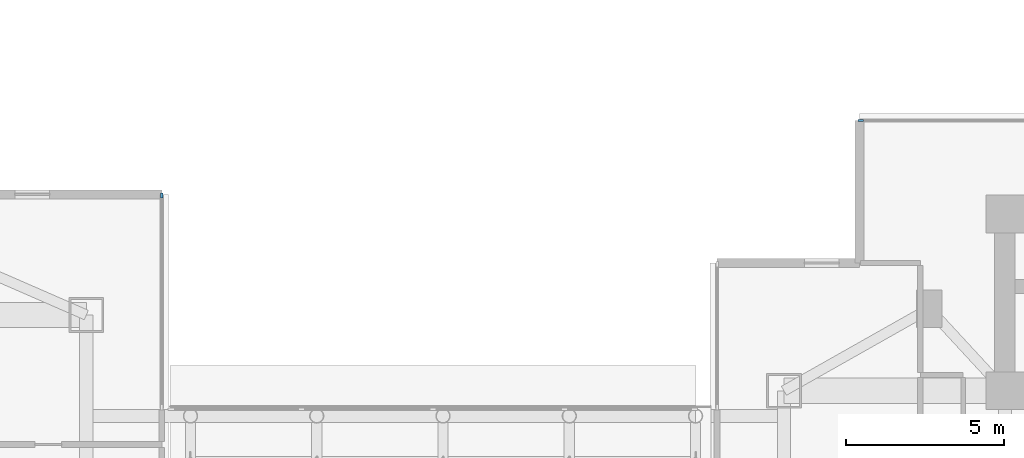
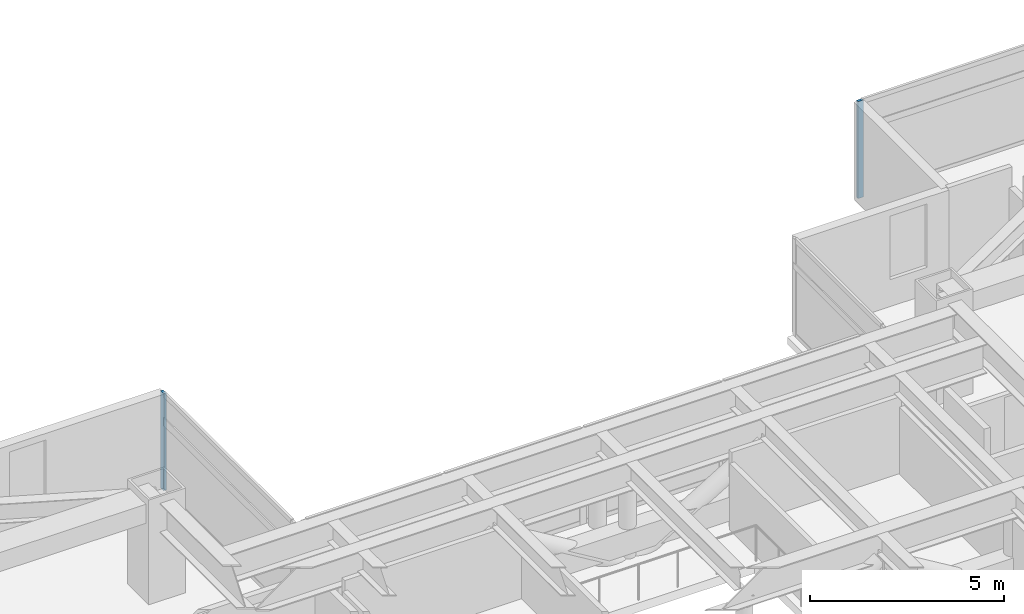
# One storey, part 8 of 27: 2 members, 2 elements without a shape of their own.
"""IFC4 building model written with IfcOpenShell, lengths in metres."""

from ifc_helpers import new_model, si_unit, direction, frame, origin, origin_2d, place, context, subcontext, project, spatial, rectangle, extrude, material, material_profile, profile_set, type_object, element, aggregate, save


model = new_model("IFC4")

# Units and contexts
model_context = context("Model", 3, precision=1e-05, world=origin(), true_north=direction((0.0, 1.0)))
body_context = subcontext(model_context, "Body", "Model", "MODEL_VIEW")
ifc_project = project(units=[si_unit("LENGTHUNIT", "METRE"), si_unit("AREAUNIT", "SQUARE_METRE"), si_unit("VOLUMEUNIT", "CUBIC_METRE"), si_unit("PLANEANGLEUNIT", "RADIAN"), si_unit("MASSUNIT", "GRAM", prefix="KILO")], contexts=[model_context])

# Site, building, storey
site_placement = place(None, origin())
site = spatial("IfcSite", under=ifc_project, at=site_placement, CompositionType="ELEMENT")
building_placement = place(site_placement, origin())
building = spatial("IfcBuilding", under=site, at=building_placement, Name="Mirazonda Arch Towers", CompositionType="ELEMENT")
storey_placement = place(building_placement, frame((0.0, 0.0, 95.0)))
storey = spatial("IfcBuildingStorey", under=building, at=storey_placement, Name="L26", CompositionType="ELEMENT", Elevation=95.0)

# Curtain wall, member
ifc_material_1 = material(Name="Anodised Aluminium and Low-E Glass", Category="aluminium")
curtain_wall_type = type_object("IfcCurtainWallType", Name="CW-HTL-UNIT", PredefinedType="NOTDEFINED", material=ifc_material_1)
curtain_wall_1_placement = place(storey_placement, origin())
curtain_wall_1 = element("IfcCurtainWall", 1, at=curtain_wall_1_placement, inside=storey, type_object=curtain_wall_type, Name="L26 Curtain Wall CW-L26-T1-E2", PredefinedType="NOTDEFINED")
ifc_material_2 = material(Name="Anodised Aluminium Alloy", Category="aluminium")
ifc_material_profile = material_profile(ifc_material_2, rectangle(XDim=0.074951171875, YDim=0.1650390625, at=origin_2d()), Name="ALU-MULL-75x165")
ifc_profile_set = profile_set([ifc_material_profile], Name="Anodised Aluminium Alloy")
member_type = type_object("IfcMemberType", Name="MULL-CW-HTL-UNIT", PredefinedType="MULLION", material=ifc_profile_set)
member_1_placement = place(storey_placement, frame((41.2900390625, 41.383544921875, 0.0), z_axis=(0.0, 0.0, 1.0), x_axis=(-1.0, 0.0, 0.0)))
member_1 = element("IfcMember", 2, at=member_1_placement, type_object=member_type, Name="CW-112 mullion 2", PredefinedType="MULLION", context=body_context, shape_type="SweptSolid", body=[
    extrude(rectangle(XDim=0.074951171875, YDim=0.1650390625, at=origin_2d()), origin(), (0.0, 0.0, 1.0), 3.06005859375),
])
aggregate(curtain_wall_1, [member_1])

curtain_wall_2_placement = place(storey_placement, origin())
curtain_wall_2 = element("IfcCurtainWall", 3, at=curtain_wall_2_placement, inside=storey, type_object=curtain_wall_type, Name="L26 T2 N Facade CW-L26-T2-N", PredefinedType="NOTDEFINED")
member_2_placement = place(storey_placement, frame((63.435302734375, 43.76416015625, 0.0), z_axis=(0.0, 0.0, 1.0), x_axis=(0.0, 1.0, 0.0)))
member_2 = element("IfcMember", 4, at=member_2_placement, type_object=member_type, Name="CW-112 mullion 1", PredefinedType="MULLION", context=body_context, shape_type="SweptSolid", body=[
    extrude(rectangle(XDim=0.074951171875, YDim=0.1650390625, at=origin_2d()), origin(), (0.0, 0.0, 1.0), 3.06005859375),
])
aggregate(curtain_wall_2, [member_2])

save(model, "model.ifc")
